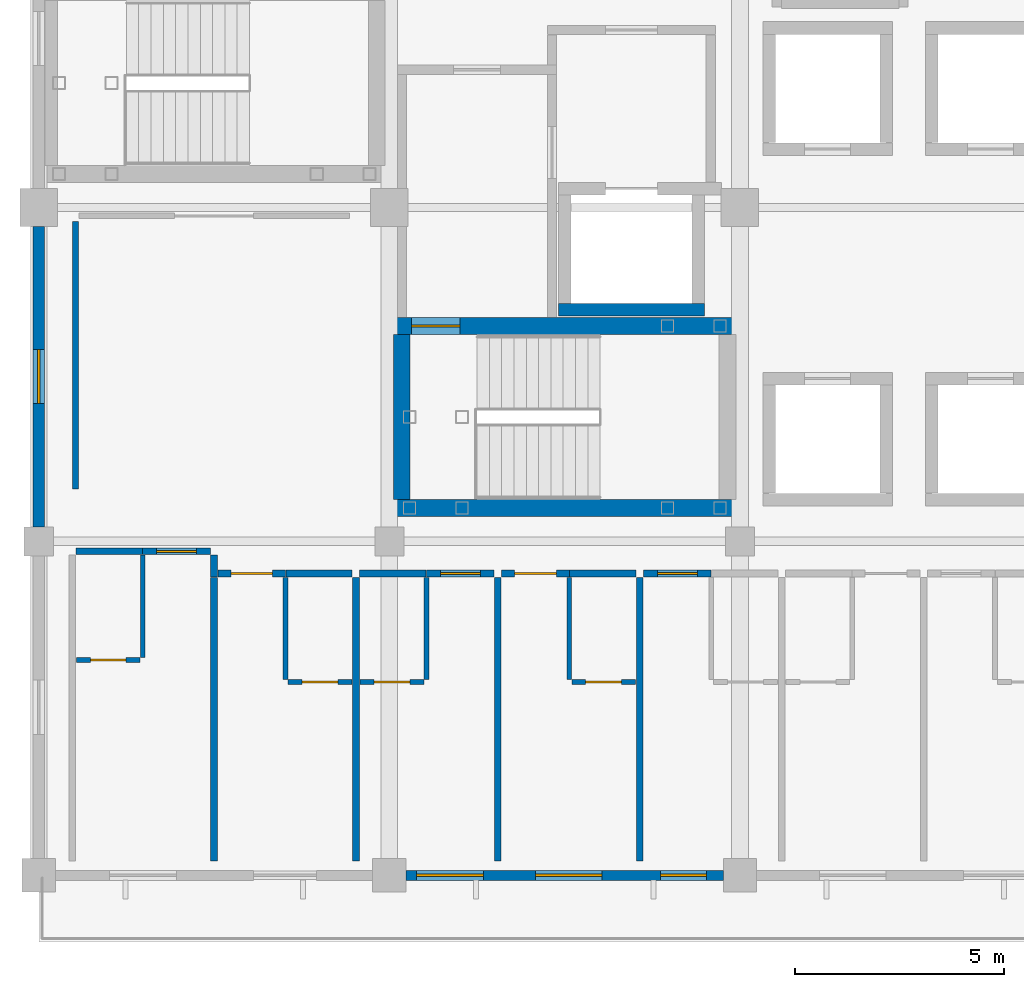
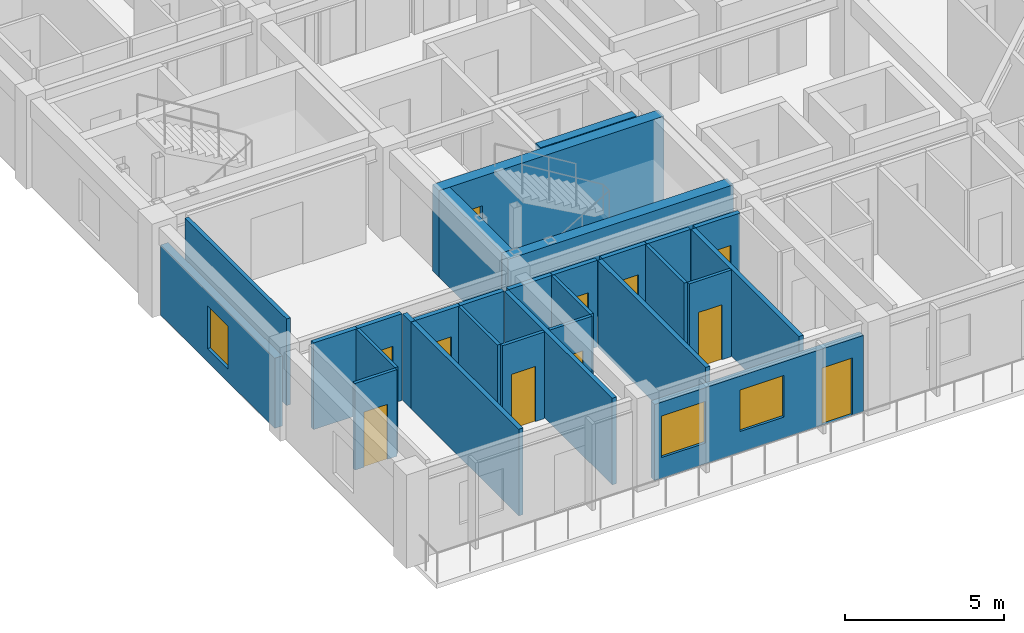
# One storey, part 5 of 17: 29 walls, 11 doors, 3 windows, 14 openings.
"""IFC4 building model written with IfcOpenShell, lengths in metres."""

from ifc_helpers import new_model, si_unit, direction, frame, frame_2d, origin, place, context, subcontext, project, spatial, rectangle, extrude, material, layer, layer_set, type_object, element, fill, save


model = new_model("IFC4")

# Units and contexts
model_context = context("Model", 3, precision=1e-05, world=origin(), true_north=direction((0.0, 1.0)))
body_context = subcontext(model_context, "Body", "Model", "MODEL_VIEW")
ifc_project = project(units=[si_unit("LENGTHUNIT", "METRE"), si_unit("AREAUNIT", "SQUARE_METRE"), si_unit("VOLUMEUNIT", "CUBIC_METRE"), si_unit("PLANEANGLEUNIT", "RADIAN"), si_unit("MASSUNIT", "GRAM", prefix="KILO")], contexts=[model_context])

# Site, building, storey
site_placement = place(None, origin())
site = spatial("IfcSite", under=ifc_project, at=site_placement, CompositionType="ELEMENT")
building_placement = place(site_placement, origin())
building = spatial("IfcBuilding", under=site, at=building_placement, Name="Naruveol Harbour Congress Hotel", CompositionType="ELEMENT")
storey_placement = place(building_placement, frame((0.0, 0.0, 25.199951171875)))
storey = spatial("IfcBuildingStorey", under=building, at=storey_placement, Name="L05", CompositionType="ELEMENT", Elevation=25.199951171875)

# Wall
ifc_material_1 = material(Name="Acoustic Double Stud Gypsum", Category="gypsum")
ifc_layer_1 = layer(ifc_material_1, 0.139892578125)
ifc_layer_set_1 = layer_set([ifc_layer_1], Name="Acoustic Double Stud Gypsum")
wall_type_1 = type_object("IfcWallType", Name="ACOUSTIC MEETING PARTITION WALL 140", PredefinedType="PARTITIONING", material=ifc_layer_set_1)
wall_1_placement = place(storey_placement, frame((118.47998046875, 9.25, 0.0), z_axis=(0.0, 0.0, 1.0), x_axis=(0.0, 1.0, 0.0)))
element("IfcWall", 1, at=wall_1_placement, inside=storey, type_object=wall_type_1, Name="Harbour Club Lounge west partition PW-140", PredefinedType="PARTITIONING", context=body_context, shape_type="SweptSolid", body=[
    extrude(rectangle(XDim=6.409912109375, YDim=0.139892578125, at=frame_2d((3.205078125, 0.0))), origin(), (0.0, 0.0, 1.0), 3.3349609375),
])

# Wall, opening, window
ifc_material_2 = material(Name="Precast concrete C40/50", Category="concrete")
ifc_layer_2 = layer(ifc_material_2, 0.280029296875)
ifc_layer_set_2 = layer_set([ifc_layer_2], Name="Precast concrete C40/50")
wall_type_2 = type_object("IfcWallType", Name="ARCHITECTURAL PRECAST FACADE WALL 280", PredefinedType="SOLIDWALL", material=ifc_layer_set_2)
wall_2_placement = place(storey_placement, frame((117.60009765625, 8.35009765625, 0.0), z_axis=(0.0, 0.0, 1.0), x_axis=(0.0, 1.0, 0.0)))
wall_2 = element("IfcWall", 2, at=wall_2_placement, inside=storey, type_object=wall_type_2, Name="Hotel west gable wall L05 EW-280", PredefinedType="SOLIDWALL", context=body_context, shape_type="SweptSolid", body=[
    extrude(rectangle(XDim=7.199951171875, YDim=0.280029296875, at=frame_2d((3.60009765625, 0.0))), origin(), (0.0, 0.0, 1.0), 2.699951171875),
])
opening_1_placement = place(wall_2_placement, frame((2.949951171875, 0.0, 0.5)))
opening_1 = element("IfcOpeningElement", 3, at=opening_1_placement, cuts=wall_2, Name="Opening W-27", PredefinedType="OPENING", context=body_context, shape_type="SweptSolid", body=[
    extrude(rectangle(XDim=1.300048828125, YDim=1.64990234375, at=frame_2d((0.64990234375, 0.824951171875))), frame((0.0, 0.14990234375, 0.0), z_axis=(0.0, -1.0, 0.0), x_axis=(1.0, 0.0, 0.0)), (0.0, 0.0, 1.0), 0.300048828125),
])
ifc_material_3 = material(Name="Low-E Triple Glazing in Thermal Aluminium", Category="aluminium")
window_type_1 = type_object("IfcWindowType", Name="READING SALON TALL WINDOW 1300X1650", PartitioningType="SINGLE_PANEL", PredefinedType="WINDOW", material=ifc_material_3)
window_1_placement = place(opening_1_placement, origin())
window_1 = element("IfcWindow", 4, at=window_1_placement, inside=storey, type_object=window_type_1, Name="Window W-27 #343", OverallHeight=1.64990234375, OverallWidth=1.300048828125, PartitioningType="SINGLE_PANEL", PredefinedType="WINDOW", context=body_context, shape_type="SweptSolid", body=[
    extrude(rectangle(XDim=1.300048828125, YDim=1.64990234375, at=frame_2d((0.64990234375, 0.824951171875))), frame((0.0, 0.030029296875, 0.0), z_axis=(0.0, -1.0, 0.0), x_axis=(1.0, 0.0, 0.0)), (0.0, 0.0, 1.0), 0.06005859375),
])
fill(opening_1, window_1)

# Wall
ifc_material_4 = material(Name="Moisture-Resistant Gypsum Partition", Category="gypsum")
ifc_layer_3 = layer(ifc_material_4, 0.114990234375)
ifc_layer_set_3 = layer_set([ifc_layer_3], Name="Moisture-Resistant Gypsum Partition")
wall_type_3 = type_object("IfcWallType", Name="BATHROOM MOISTURE PARTITION WALL 115", PredefinedType="PARTITIONING", material=ifc_layer_set_3)
wall_3_placement = place(storey_placement, frame((120.090087890625, 5.219970703125, 0.0), z_axis=(0.0, 0.0, 1.0), x_axis=(0.0, 1.0, 0.0)))
element("IfcWall", 5, at=wall_3_placement, inside=storey, type_object=wall_type_3, Name="Bathroom east wall 0615 PW-115", PredefinedType="PARTITIONING", context=body_context, shape_type="SweptSolid", body=[
    extrude(rectangle(XDim=2.449951171875, YDim=0.114990234375, at=frame_2d((1.22509765625, 0.0))), origin(), (0.0, 0.0, 1.0), 3.3349609375),
])

# Wall, opening, door
wall_4_placement = place(storey_placement, frame((118.5, 5.159912109375, 0.0), z_axis=(0.0, 0.0, 1.0), x_axis=(1.0, 0.0, 0.0)))
wall_4 = element("IfcWall", 6, at=wall_4_placement, inside=storey, type_object=wall_type_3, Name="Bathroom south wall 0615 PW-115", PredefinedType="PARTITIONING", context=body_context, shape_type="SweptSolid", body=[
    extrude(rectangle(XDim=1.530029296875, YDim=0.114990234375, at=frame_2d((0.76513671875, 0.0))), origin(), (0.0, 0.0, 1.0), 3.3349609375),
])
opening_2_placement = place(wall_4_placement, frame((0.3349609375, 0.0, 0.0)))
opening_2 = element("IfcOpeningElement", 7, at=opening_2_placement, cuts=wall_4, Name="Opening BD-RM0615", PredefinedType="OPENING", context=body_context, shape_type="SweptSolid", body=[
    extrude(rectangle(XDim=0.860107421875, YDim=2.1201171875, at=frame_2d((0.43017578125, 1.06005859375))), frame((0.0, 0.0673828125, 0.0), z_axis=(0.0, -1.0, 0.0), x_axis=(1.0, 0.0, 0.0)), (0.0, 0.0, 1.0), 0.135009765625),
])
ifc_material_5 = material(Name="Timber & Steel Acoustic Leaf", Category="steel")
door_type_1 = type_object("IfcDoorType", Name="GUEST BATHROOM DOOR 860X2120", OperationType="NOTDEFINED", PredefinedType="DOOR", material=ifc_material_5)
door_1_placement = place(opening_2_placement, origin())
door_1 = element("IfcDoor", 8, at=door_1_placement, inside=storey, type_object=door_type_1, Name="Bathroom Door 0615", OperationType="SINGLE_SWING_RIGHT", OverallHeight=2.1201171875, OverallWidth=0.860107421875, PredefinedType="DOOR", context=body_context, shape_type="SweptSolid", body=[
    extrude(rectangle(XDim=0.860107421875, YDim=2.1201171875, at=frame_2d((0.43017578125, 1.06005859375))), frame((0.0, 0.02490234375, 0.0), z_axis=(0.0, -1.0, 0.0), x_axis=(1.0, 0.0, 0.0)), (0.0, 0.0, 1.0), 0.050048828125),
])
fill(opening_2, door_1)

# Wall
wall_5_placement = place(storey_placement, frame((123.510009765625, 4.68994140625, 0.0), z_axis=(0.0, 0.0, 1.0), x_axis=(0.0, 1.0, 0.0)))
element("IfcWall", 9, at=wall_5_placement, inside=storey, type_object=wall_type_3, Name="Bathroom west wall 0616 PW-115", PredefinedType="PARTITIONING", context=body_context, shape_type="SweptSolid", body=[
    extrude(rectangle(XDim=2.449951171875, YDim=0.114990234375, at=frame_2d((1.22509765625, 0.0))), origin(), (0.0, 0.0, 1.0), 3.3349609375),
])

# Wall, opening, door
wall_6_placement = place(storey_placement, frame((123.570068359375, 4.6298828125, 0.0), z_axis=(0.0, 0.0, 1.0), x_axis=(1.0, 0.0, 0.0)))
wall_6 = element("IfcWall", 10, at=wall_6_placement, inside=storey, type_object=wall_type_3, Name="Bathroom south wall 0616 PW-115", PredefinedType="PARTITIONING", context=body_context, shape_type="SweptSolid", body=[
    extrude(rectangle(XDim=1.530029296875, YDim=0.114990234375, at=frame_2d((0.76513671875, 0.0))), origin(), (0.0, 0.0, 1.0), 3.3349609375),
])
opening_3_placement = place(wall_6_placement, frame((0.3349609375, 0.0, 0.0)))
opening_3 = element("IfcOpeningElement", 11, at=opening_3_placement, cuts=wall_6, Name="Opening BD-RM0616", PredefinedType="OPENING", context=body_context, shape_type="SweptSolid", body=[
    extrude(rectangle(XDim=0.860107421875, YDim=2.1201171875, at=frame_2d((0.43017578125, 1.06005859375))), frame((0.0, 0.0673828125, 0.0), z_axis=(0.0, -1.0, 0.0), x_axis=(1.0, 0.0, 0.0)), (0.0, 0.0, 1.0), 0.135009765625),
])
door_2_placement = place(opening_3_placement, origin())
door_2 = element("IfcDoor", 12, at=door_2_placement, inside=storey, type_object=door_type_1, Name="Bathroom Door 0616", OperationType="SINGLE_SWING_RIGHT", OverallHeight=2.1201171875, OverallWidth=0.860107421875, PredefinedType="DOOR", context=body_context, shape_type="SweptSolid", body=[
    extrude(rectangle(XDim=0.860107421875, YDim=2.1201171875, at=frame_2d((0.43017578125, 1.06005859375))), frame((0.0, 0.02490234375, 0.0), z_axis=(0.0, -1.0, 0.0), x_axis=(1.0, 0.0, 0.0)), (0.0, 0.0, 1.0), 0.050048828125),
])
fill(opening_3, door_2)

# Wall
wall_7_placement = place(storey_placement, frame((126.889892578125, 4.68994140625, 0.0), z_axis=(0.0, 0.0, 1.0), x_axis=(0.0, 1.0, 0.0)))
element("IfcWall", 13, at=wall_7_placement, inside=storey, type_object=wall_type_3, Name="Bathroom east wall 0617 PW-115", PredefinedType="PARTITIONING", context=body_context, shape_type="SweptSolid", body=[
    extrude(rectangle(XDim=2.449951171875, YDim=0.114990234375, at=frame_2d((1.22509765625, 0.0))), origin(), (0.0, 0.0, 1.0), 3.3349609375),
])

# Wall, opening, door
wall_8_placement = place(storey_placement, frame((125.300048828125, 4.6298828125, 0.0), z_axis=(0.0, 0.0, 1.0), x_axis=(1.0, 0.0, 0.0)))
wall_8 = element("IfcWall", 14, at=wall_8_placement, inside=storey, type_object=wall_type_3, Name="Bathroom south wall 0617 PW-115", PredefinedType="PARTITIONING", context=body_context, shape_type="SweptSolid", body=[
    extrude(rectangle(XDim=1.530029296875, YDim=0.114990234375, at=frame_2d((0.76513671875, 0.0))), origin(), (0.0, 0.0, 1.0), 3.3349609375),
])
opening_4_placement = place(wall_8_placement, frame((0.3349609375, 0.0, 0.0)))
opening_4 = element("IfcOpeningElement", 15, at=opening_4_placement, cuts=wall_8, Name="Opening BD-RM0617", PredefinedType="OPENING", context=body_context, shape_type="SweptSolid", body=[
    extrude(rectangle(XDim=0.860107421875, YDim=2.1201171875, at=frame_2d((0.43017578125, 1.06005859375))), frame((0.0, 0.0673828125, 0.0), z_axis=(0.0, -1.0, 0.0), x_axis=(1.0, 0.0, 0.0)), (0.0, 0.0, 1.0), 0.135009765625),
])
door_3_placement = place(opening_4_placement, origin())
door_3 = element("IfcDoor", 16, at=door_3_placement, inside=storey, type_object=door_type_1, Name="Bathroom Door 0617", OperationType="SINGLE_SWING_RIGHT", OverallHeight=2.1201171875, OverallWidth=0.860107421875, PredefinedType="DOOR", context=body_context, shape_type="SweptSolid", body=[
    extrude(rectangle(XDim=0.860107421875, YDim=2.1201171875, at=frame_2d((0.43017578125, 1.06005859375))), frame((0.0, 0.02490234375, 0.0), z_axis=(0.0, -1.0, 0.0), x_axis=(1.0, 0.0, 0.0)), (0.0, 0.0, 1.0), 0.050048828125),
])
fill(opening_4, door_3)

# Wall
wall_9_placement = place(storey_placement, frame((130.31005859375, 4.68994140625, 0.0), z_axis=(0.0, 0.0, 1.0), x_axis=(0.0, 1.0, 0.0)))
element("IfcWall", 17, at=wall_9_placement, inside=storey, type_object=wall_type_3, Name="Bathroom west wall 0618 PW-115", PredefinedType="PARTITIONING", context=body_context, shape_type="SweptSolid", body=[
    extrude(rectangle(XDim=2.449951171875, YDim=0.114990234375, at=frame_2d((1.22509765625, 0.0))), origin(), (0.0, 0.0, 1.0), 3.3349609375),
])

# Wall, opening, door
wall_10_placement = place(storey_placement, frame((130.3701171875, 4.6298828125, 0.0), z_axis=(0.0, 0.0, 1.0), x_axis=(1.0, 0.0, 0.0)))
wall_10 = element("IfcWall", 18, at=wall_10_placement, inside=storey, type_object=wall_type_3, Name="Bathroom south wall 0618 PW-115", PredefinedType="PARTITIONING", context=body_context, shape_type="SweptSolid", body=[
    extrude(rectangle(XDim=1.52978515625, YDim=0.114990234375, at=frame_2d((0.764892578125, 0.0))), origin(), (0.0, 0.0, 1.0), 3.3349609375),
])
opening_5_placement = place(wall_10_placement, frame((0.3349609375, 0.0, 0.0)))
opening_5 = element("IfcOpeningElement", 19, at=opening_5_placement, cuts=wall_10, Name="Opening BD-RM0618", PredefinedType="OPENING", context=body_context, shape_type="SweptSolid", body=[
    extrude(rectangle(XDim=0.860107421875, YDim=2.1201171875, at=frame_2d((0.43017578125, 1.06005859375))), frame((0.0, 0.0673828125, 0.0), z_axis=(0.0, -1.0, 0.0), x_axis=(1.0, 0.0, 0.0)), (0.0, 0.0, 1.0), 0.135009765625),
])
door_4_placement = place(opening_5_placement, origin())
door_4 = element("IfcDoor", 20, at=door_4_placement, inside=storey, type_object=door_type_1, Name="Bathroom Door 0618", OperationType="SINGLE_SWING_RIGHT", OverallHeight=2.1201171875, OverallWidth=0.860107421875, PredefinedType="DOOR", context=body_context, shape_type="SweptSolid", body=[
    extrude(rectangle(XDim=0.860107421875, YDim=2.1201171875, at=frame_2d((0.43017578125, 1.06005859375))), frame((0.0, 0.02490234375, 0.0), z_axis=(0.0, -1.0, 0.0), x_axis=(1.0, 0.0, 0.0)), (0.0, 0.0, 1.0), 0.050048828125),
])
fill(opening_5, door_4)

# Wall
ifc_material_6 = material(Name="Autoclaved Aerated Concrete Block", Category="concrete")
ifc_layer_4 = layer(ifc_material_6, 0.159912109375)
ifc_layer_set_4 = layer_set([ifc_layer_4], Name="Autoclaved Aerated Concrete Block")
wall_type_4 = type_object("IfcWallType", Name="HOTEL PARTY AND CORRIDOR WALL 160 EI60", PredefinedType="PARTITIONING", material=ifc_layer_set_4)
wall_11_placement = place(storey_placement, frame((118.489990234375, 7.760009765625, 0.0), z_axis=(0.0, 0.0, 1.0), x_axis=(1.0, 0.0, 0.0)))
element("IfcWall", 21, at=wall_11_placement, inside=storey, type_object=wall_type_4, Name="Corridor wall 0615B PW-160", PredefinedType="PARTITIONING", context=body_context, shape_type="SweptSolid", body=[
    extrude(rectangle(XDim=1.590087890625, YDim=0.159912109375, at=frame_2d((0.794921875, 0.0))), origin(), (0.0, 0.0, 1.0), 3.3349609375),
])

# Wall, opening, door
wall_12_placement = place(storey_placement, frame((120.090087890625, 7.760009765625, 0.0), z_axis=(0.0, 0.0, 1.0), x_axis=(1.0, 0.0, 0.0)))
wall_12 = element("IfcWall", 22, at=wall_12_placement, inside=storey, type_object=wall_type_4, Name="Corridor entry wall 0615 PW-160", PredefinedType="PARTITIONING", context=body_context, shape_type="SweptSolid", body=[
    extrude(rectangle(XDim=1.619873046875, YDim=0.159912109375, at=frame_2d((0.81005859375, 0.0))), origin(), (0.0, 0.0, 1.0), 3.3349609375),
])
opening_6_placement = place(wall_12_placement, frame((0.330078125, 0.0, 0.0)))
opening_6 = element("IfcOpeningElement", 23, at=opening_6_placement, cuts=wall_12, Name="Opening FD-RM0615", PredefinedType="OPENING", context=body_context, shape_type="SweptSolid", body=[
    extrude(rectangle(XDim=0.9599609375, YDim=2.199951171875, at=frame_2d((0.47998046875, 1.10009765625))), frame((0.0, 0.08984375, 0.0), z_axis=(0.0, -1.0, 0.0), x_axis=(1.0, 0.0, 0.0)), (0.0, 0.0, 1.0), 0.179931640625),
])
ifc_material_7 = material(Name="Timber & Steel Acoustic Leaf", Category="steel")
door_type_2 = type_object("IfcDoorType", Name="GUEST ROOM ENTRANCE FIRE DOOR 960X2200", OperationType="NOTDEFINED", PredefinedType="DOOR", material=ifc_material_7)
door_5_placement = place(opening_6_placement, origin())
door_5 = element("IfcDoor", 24, at=door_5_placement, inside=storey, type_object=door_type_2, Name="Hotel Room Door 0615", OperationType="SINGLE_SWING_LEFT", OverallHeight=2.199951171875, OverallWidth=0.9599609375, PredefinedType="DOOR", context=body_context, shape_type="SweptSolid", body=[
    extrude(rectangle(XDim=0.9599609375, YDim=2.199951171875, at=frame_2d((0.47998046875, 1.10009765625))), frame((0.0, 0.02490234375, 0.0), z_axis=(0.0, -1.0, 0.0), x_axis=(1.0, 0.0, 0.0)), (0.0, 0.0, 1.0), 0.050048828125),
])
fill(opening_6, door_5)

# Wall
wall_13_placement = place(storey_placement, frame((121.800048828125, 7.14990234375, 0.0), z_axis=(0.0, 0.0, 1.0), x_axis=(0.0, 1.0, 0.0)))
element("IfcWall", 25, at=wall_13_placement, inside=storey, type_object=wall_type_4, Name="Hotel end party wall 0615 PW-160", PredefinedType="PARTITIONING", context=body_context, shape_type="SweptSolid", body=[
    extrude(rectangle(XDim=0.52001953125, YDim=0.159912109375, at=frame_2d((0.260009765625, 0.0))), origin(), (0.0, 0.0, 1.0), 3.3349609375),
])

# Wall, opening, door
wall_14_placement = place(storey_placement, frame((121.889892578125, 7.22998046875, 0.0), z_axis=(0.0, 0.0, 1.0), x_axis=(1.0, 0.0, 0.0)))
wall_14 = element("IfcWall", 26, at=wall_14_placement, inside=storey, type_object=wall_type_4, Name="Corridor entry wall 0616 PW-160", PredefinedType="PARTITIONING", context=body_context, shape_type="SweptSolid", body=[
    extrude(rectangle(XDim=1.6201171875, YDim=0.159912109375, at=frame_2d((0.81005859375, 0.0))), origin(), (0.0, 0.0, 1.0), 3.3349609375),
])
opening_7_placement = place(wall_14_placement, frame((0.31005859375, 0.0, 0.0)))
opening_7 = element("IfcOpeningElement", 27, at=opening_7_placement, cuts=wall_14, Name="Opening FD-RM0616", PredefinedType="OPENING", context=body_context, shape_type="SweptSolid", body=[
    extrude(rectangle(XDim=1.0, YDim=2.25, at=frame_2d((0.5, 1.125))), frame((0.0, 0.08984375, 0.0), z_axis=(0.0, -1.0, 0.0), x_axis=(1.0, 0.0, 0.0)), (0.0, 0.0, 1.0), 0.179931640625),
])
ifc_material_8 = material(Name="Timber & Steel Acoustic Leaf", Category="steel")
door_type_3 = type_object("IfcDoorType", Name="DELUXE GUEST ENTRANCE FIRE DOOR 1000X2250", OperationType="NOTDEFINED", PredefinedType="DOOR", material=ifc_material_8)
door_6_placement = place(opening_7_placement, origin())
door_6 = element("IfcDoor", 28, at=door_6_placement, inside=storey, type_object=door_type_3, Name="Hotel Room Door 0616", OperationType="SINGLE_SWING_LEFT", OverallHeight=2.25, OverallWidth=1.0, PredefinedType="DOOR", context=body_context, shape_type="SweptSolid", body=[
    extrude(rectangle(XDim=1.0, YDim=2.25, at=frame_2d((0.5, 1.125))), frame((0.0, 0.02490234375, 0.0), z_axis=(0.0, -1.0, 0.0), x_axis=(1.0, 0.0, 0.0)), (0.0, 0.0, 1.0), 0.050048828125),
])
fill(opening_7, door_6)

# Walls
wall_15_placement = place(storey_placement, frame((123.52001953125, 7.22998046875, 0.0), z_axis=(0.0, 0.0, 1.0), x_axis=(1.0, 0.0, 0.0)))
element("IfcWall", 29, at=wall_15_placement, inside=storey, type_object=wall_type_4, Name="Corridor wall 0616B PW-160", PredefinedType="PARTITIONING", context=body_context, shape_type="SweptSolid", body=[
    extrude(rectangle(XDim=1.590087890625, YDim=0.159912109375, at=frame_2d((0.794921875, 0.0))), origin(), (0.0, 0.0, 1.0), 3.3349609375),
])
wall_16_placement = place(storey_placement, frame((121.800048828125, 0.340087890625, 0.0), z_axis=(0.0, 0.0, 1.0), x_axis=(0.0, 1.0, 0.0)))
element("IfcWall", 30, at=wall_16_placement, inside=storey, type_object=wall_type_4, Name="Hotel party wall 0616 PW-160", PredefinedType="PARTITIONING", context=body_context, shape_type="SweptSolid", body=[
    extrude(rectangle(XDim=6.7998046875, YDim=0.159912109375, at=frame_2d((3.39990234375, 0.0))), origin(), (0.0, 0.0, 1.0), 3.3349609375),
])
wall_17_placement = place(storey_placement, frame((125.2900390625, 7.22998046875, 0.0), z_axis=(0.0, 0.0, 1.0), x_axis=(1.0, 0.0, 0.0)))
element("IfcWall", 31, at=wall_17_placement, inside=storey, type_object=wall_type_4, Name="Corridor wall 0617B PW-160", PredefinedType="PARTITIONING", context=body_context, shape_type="SweptSolid", body=[
    extrude(rectangle(XDim=1.58984375, YDim=0.159912109375, at=frame_2d((0.794921875, 0.0))), origin(), (0.0, 0.0, 1.0), 3.3349609375),
])

# Wall, opening, door
wall_18_placement = place(storey_placement, frame((126.889892578125, 7.22998046875, 0.0), z_axis=(0.0, 0.0, 1.0), x_axis=(1.0, 0.0, 0.0)))
wall_18 = element("IfcWall", 32, at=wall_18_placement, inside=storey, type_object=wall_type_4, Name="Corridor entry wall 0617 PW-160", PredefinedType="PARTITIONING", context=body_context, shape_type="SweptSolid", body=[
    extrude(rectangle(XDim=1.6201171875, YDim=0.159912109375, at=frame_2d((0.81005859375, 0.0))), origin(), (0.0, 0.0, 1.0), 3.3349609375),
])
opening_8_placement = place(wall_18_placement, frame((0.330078125, 0.0, 0.0)))
opening_8 = element("IfcOpeningElement", 33, at=opening_8_placement, cuts=wall_18, Name="Opening FD-RM0617", PredefinedType="OPENING", context=body_context, shape_type="SweptSolid", body=[
    extrude(rectangle(XDim=0.9599609375, YDim=2.199951171875, at=frame_2d((0.47998046875, 1.10009765625))), frame((0.0, 0.08984375, 0.0), z_axis=(0.0, -1.0, 0.0), x_axis=(1.0, 0.0, 0.0)), (0.0, 0.0, 1.0), 0.179931640625),
])
door_7_placement = place(opening_8_placement, origin())
door_7 = element("IfcDoor", 34, at=door_7_placement, inside=storey, type_object=door_type_2, Name="Hotel Room Door 0617", OperationType="SINGLE_SWING_LEFT", OverallHeight=2.199951171875, OverallWidth=0.9599609375, PredefinedType="DOOR", context=body_context, shape_type="SweptSolid", body=[
    extrude(rectangle(XDim=0.9599609375, YDim=2.199951171875, at=frame_2d((0.47998046875, 1.10009765625))), frame((0.0, 0.02490234375, 0.0), z_axis=(0.0, -1.0, 0.0), x_axis=(1.0, 0.0, 0.0)), (0.0, 0.0, 1.0), 0.050048828125),
])
fill(opening_8, door_7)

# Wall
wall_19_placement = place(storey_placement, frame((125.199951171875, 0.340087890625, 0.0), z_axis=(0.0, 0.0, 1.0), x_axis=(0.0, 1.0, 0.0)))
element("IfcWall", 35, at=wall_19_placement, inside=storey, type_object=wall_type_4, Name="Hotel party wall 0617 PW-160", PredefinedType="PARTITIONING", context=body_context, shape_type="SweptSolid", body=[
    extrude(rectangle(XDim=6.7998046875, YDim=0.159912109375, at=frame_2d((3.39990234375, 0.0))), origin(), (0.0, 0.0, 1.0), 3.3349609375),
])

# Wall, opening, door
wall_20_placement = place(storey_placement, frame((128.68994140625, 7.22998046875, 0.0), z_axis=(0.0, 0.0, 1.0), x_axis=(1.0, 0.0, 0.0)))
wall_20 = element("IfcWall", 36, at=wall_20_placement, inside=storey, type_object=wall_type_4, Name="Corridor entry wall 0618 PW-160", PredefinedType="PARTITIONING", context=body_context, shape_type="SweptSolid", body=[
    extrude(rectangle(XDim=1.6201171875, YDim=0.159912109375, at=frame_2d((0.81005859375, 0.0))), origin(), (0.0, 0.0, 1.0), 3.3349609375),
])
opening_9_placement = place(wall_20_placement, frame((0.31005859375, 0.0, 0.0)))
opening_9 = element("IfcOpeningElement", 37, at=opening_9_placement, cuts=wall_20, Name="Opening FD-RM0618", PredefinedType="OPENING", context=body_context, shape_type="SweptSolid", body=[
    extrude(rectangle(XDim=1.0, YDim=2.25, at=frame_2d((0.5, 1.125))), frame((0.0, 0.08984375, 0.0), z_axis=(0.0, -1.0, 0.0), x_axis=(1.0, 0.0, 0.0)), (0.0, 0.0, 1.0), 0.179931640625),
])
door_8_placement = place(opening_9_placement, origin())
door_8 = element("IfcDoor", 38, at=door_8_placement, inside=storey, type_object=door_type_3, Name="Hotel Room Door 0618", OperationType="SINGLE_SWING_LEFT", OverallHeight=2.25, OverallWidth=1.0, PredefinedType="DOOR", context=body_context, shape_type="SweptSolid", body=[
    extrude(rectangle(XDim=1.0, YDim=2.25, at=frame_2d((0.5, 1.125))), frame((0.0, 0.02490234375, 0.0), z_axis=(0.0, -1.0, 0.0), x_axis=(1.0, 0.0, 0.0)), (0.0, 0.0, 1.0), 0.050048828125),
])
fill(opening_9, door_8)

# Walls
wall_21_placement = place(storey_placement, frame((130.320068359375, 7.22998046875, 0.0), z_axis=(0.0, 0.0, 1.0), x_axis=(1.0, 0.0, 0.0)))
element("IfcWall", 39, at=wall_21_placement, inside=storey, type_object=wall_type_4, Name="Corridor wall 0618B PW-160", PredefinedType="PARTITIONING", context=body_context, shape_type="SweptSolid", body=[
    extrude(rectangle(XDim=1.58984375, YDim=0.159912109375, at=frame_2d((0.794921875, 0.0))), origin(), (0.0, 0.0, 1.0), 3.3349609375),
])
wall_22_placement = place(storey_placement, frame((128.60009765625, 0.340087890625, 0.0), z_axis=(0.0, 0.0, 1.0), x_axis=(0.0, 1.0, 0.0)))
element("IfcWall", 40, at=wall_22_placement, inside=storey, type_object=wall_type_4, Name="Hotel party wall 0618 PW-160", PredefinedType="PARTITIONING", context=body_context, shape_type="SweptSolid", body=[
    extrude(rectangle(XDim=6.7998046875, YDim=0.159912109375, at=frame_2d((3.39990234375, 0.0))), origin(), (0.0, 0.0, 1.0), 3.3349609375),
])

# Wall, opening, door
wall_23_placement = place(storey_placement, frame((132.090087890625, 7.22998046875, 0.0), z_axis=(0.0, 0.0, 1.0), x_axis=(1.0, 0.0, 0.0)))
wall_23 = element("IfcWall", 41, at=wall_23_placement, inside=storey, type_object=wall_type_4, Name="Corridor entry wall 0619 PW-160", PredefinedType="PARTITIONING", context=body_context, shape_type="SweptSolid", body=[
    extrude(rectangle(XDim=1.619873046875, YDim=0.159912109375, at=frame_2d((0.81005859375, 0.0))), origin(), (0.0, 0.0, 1.0), 3.3349609375),
])
opening_10_placement = place(wall_23_placement, frame((0.330078125, 0.0, 0.0)))
opening_10 = element("IfcOpeningElement", 42, at=opening_10_placement, cuts=wall_23, Name="Opening FD-RM0619", PredefinedType="OPENING", context=body_context, shape_type="SweptSolid", body=[
    extrude(rectangle(XDim=0.9599609375, YDim=2.199951171875, at=frame_2d((0.47998046875, 1.10009765625))), frame((0.0, 0.08984375, 0.0), z_axis=(0.0, -1.0, 0.0), x_axis=(1.0, 0.0, 0.0)), (0.0, 0.0, 1.0), 0.179931640625),
])
door_9_placement = place(opening_10_placement, origin())
door_9 = element("IfcDoor", 43, at=door_9_placement, inside=storey, type_object=door_type_2, Name="Hotel Room Door 0619", OperationType="SINGLE_SWING_LEFT", OverallHeight=2.199951171875, OverallWidth=0.9599609375, PredefinedType="DOOR", context=body_context, shape_type="SweptSolid", body=[
    extrude(rectangle(XDim=0.9599609375, YDim=2.199951171875, at=frame_2d((0.47998046875, 1.10009765625))), frame((0.0, 0.02490234375, 0.0), z_axis=(0.0, -1.0, 0.0), x_axis=(1.0, 0.0, 0.0)), (0.0, 0.0, 1.0), 0.050048828125),
])
fill(opening_10, door_9)

# Wall
wall_24_placement = place(storey_placement, frame((132.0, 0.340087890625, 0.0), z_axis=(0.0, 0.0, 1.0), x_axis=(0.0, 1.0, 0.0)))
element("IfcWall", 44, at=wall_24_placement, inside=storey, type_object=wall_type_4, Name="Hotel party wall 0619 PW-160", PredefinedType="PARTITIONING", context=body_context, shape_type="SweptSolid", body=[
    extrude(rectangle(XDim=6.7998046875, YDim=0.159912109375, at=frame_2d((3.39990234375, 0.0))), origin(), (0.0, 0.0, 1.0), 3.3349609375),
])

# Wall, openings, windows, door
ifc_material_9 = material(Name="Concrete C40/50", Category="concrete")
ifc_layer_5 = layer(ifc_material_9, 0.239990234375)
ifc_layer_set_5 = layer_set([ifc_layer_5], Name="Concrete C40/50")
wall_type_5 = type_object("IfcWallType", Name="INSULATED HOTEL SPANDREL WALL 240", PredefinedType="SOLIDWALL", material=ifc_layer_set_5)
wall_25_placement = place(storey_placement, frame((134.0, 0.0, 0.0), z_axis=(0.0, 0.0, 1.0), x_axis=(-1.0, 0.0, 0.0)))
wall_25 = element("IfcWall", 45, at=wall_25_placement, inside=storey, type_object=wall_type_5, Name="Hotel south waterfront wall L05 EW-240", PredefinedType="SOLIDWALL", context=body_context, shape_type="SweptSolid", body=[
    extrude(rectangle(XDim=7.60009765625, YDim=0.239990234375, at=frame_2d((3.800048828125, 0.0))), origin(), (0.0, 0.0, 1.0), 2.929931640625),
])
opening_11_placement = place(wall_25_placement, frame((0.39990234375, 0.0, 0.0)))
opening_11 = element("IfcOpeningElement", 46, at=opening_11_placement, cuts=wall_25, Name="Opening BD-110-039", PredefinedType="OPENING", context=body_context, shape_type="SweptSolid", body=[
    extrude(rectangle(XDim=1.10009765625, YDim=2.199951171875, at=frame_2d((0.550048828125, 1.10009765625))), frame((0.0, 0.1298828125, 0.0), z_axis=(0.0, -1.0, 0.0), x_axis=(1.0, 0.0, 0.0)), (0.0, 0.0, 1.0), 0.260009765625),
])
opening_12_placement = place(wall_25_placement, frame((2.89990234375, 0.0, 0.800048828125)))
opening_12 = element("IfcOpeningElement", 47, at=opening_12_placement, cuts=wall_25, Name="Opening W-03", PredefinedType="OPENING", context=body_context, shape_type="SweptSolid", body=[
    extrude(rectangle(XDim=1.60009765625, YDim=1.60009765625, at=frame_2d((0.800048828125, 0.800048828125))), frame((0.0, 0.1298828125, 0.0), z_axis=(0.0, -1.0, 0.0), x_axis=(1.0, 0.0, 0.0)), (0.0, 0.0, 1.0), 0.260009765625),
])
opening_13_placement = place(wall_25_placement, frame((5.75, 0.0, 0.800048828125)))
opening_13 = element("IfcOpeningElement", 48, at=opening_13_placement, cuts=wall_25, Name="Opening W-03", PredefinedType="OPENING", context=body_context, shape_type="SweptSolid", body=[
    extrude(rectangle(XDim=1.60009765625, YDim=1.60009765625, at=frame_2d((0.800048828125, 0.800048828125))), frame((0.0, 0.1298828125, 0.0), z_axis=(0.0, -1.0, 0.0), x_axis=(1.0, 0.0, 0.0)), (0.0, 0.0, 1.0), 0.260009765625),
])
ifc_material_10 = material(Name="Low-E Triple Glazing in Thermal Aluminium", Category="aluminium")
window_type_2 = type_object("IfcWindowType", Name="DELUXE GUEST WINDOW 1600X1600", PartitioningType="SINGLE_PANEL", PredefinedType="WINDOW", material=ifc_material_10)
window_2_placement = place(opening_12_placement, origin())
window_2 = element("IfcWindow", 49, at=window_2_placement, inside=storey, type_object=window_type_2, Name="Window W-03 #311", OverallHeight=1.60009765625, OverallWidth=1.60009765625, PartitioningType="SINGLE_PANEL", PredefinedType="WINDOW", context=body_context, shape_type="SweptSolid", body=[
    extrude(rectangle(XDim=1.60009765625, YDim=1.60009765625, at=frame_2d((0.800048828125, 0.800048828125))), frame((0.0, 0.030029296875, 0.0), z_axis=(0.0, -1.0, 0.0), x_axis=(1.0, 0.0, 0.0)), (0.0, 0.0, 1.0), 0.06005859375),
])
fill(opening_12, window_2)
window_3_placement = place(opening_13_placement, origin())
window_3 = element("IfcWindow", 50, at=window_3_placement, inside=storey, type_object=window_type_2, Name="Window W-03 #312", OverallHeight=1.60009765625, OverallWidth=1.60009765625, PartitioningType="SINGLE_PANEL", PredefinedType="WINDOW", context=body_context, shape_type="SweptSolid", body=[
    extrude(rectangle(XDim=1.60009765625, YDim=1.60009765625, at=frame_2d((0.800048828125, 0.800048828125))), frame((0.0, 0.030029296875, 0.0), z_axis=(0.0, -1.0, 0.0), x_axis=(1.0, 0.0, 0.0)), (0.0, 0.0, 1.0), 0.06005859375),
])
fill(opening_13, window_3)
ifc_material_11 = material(Name="Powder-Coated Steel & Insulated Glazing", Category="steel")
door_type_4 = type_object("IfcDoorType", Name="HOTEL BALCONY GLAZED DOOR 1100X2200", OperationType="NOTDEFINED", PredefinedType="DOOR", material=ifc_material_11)
door_10_placement = place(opening_11_placement, origin())
door_10 = element("IfcDoor", 51, at=door_10_placement, inside=storey, type_object=door_type_4, Name="Exterior door BD-110-039", OperationType="SINGLE_SWING_RIGHT", OverallHeight=2.199951171875, OverallWidth=1.10009765625, PredefinedType="DOOR", context=body_context, shape_type="SweptSolid", body=[
    extrude(rectangle(XDim=1.10009765625, YDim=2.199951171875, at=frame_2d((0.550048828125, 1.10009765625))), frame((0.0, 0.02490234375, 0.0), z_axis=(0.0, -1.0, 0.0), x_axis=(1.0, 0.0, 0.0)), (0.0, 0.0, 1.0), 0.050048828125),
])
fill(opening_11, door_10)

# Wall
ifc_material_12 = material(Name="Concrete C50/60", Category="concrete")
ifc_layer_6 = layer(ifc_material_12, 0.39990234375)
ifc_layer_set_6 = layer_set([ifc_layer_6], Name="Concrete C50/60")
wall_type_6 = type_object("IfcWallType", Name="RC CORE SHEAR WALL 400 EI120", PredefinedType="SHEAR", material=ifc_layer_set_6)
wall_26_placement = place(storey_placement, frame((126.10009765625, 8.800048828125, 0.0), z_axis=(0.0, 0.0, 1.0), x_axis=(1.0, 0.0, 0.0)))
element("IfcWall", 52, at=wall_26_placement, inside=storey, type_object=wall_type_6, Name="Stair ST1 south core wall CW-400", PredefinedType="SHEAR", context=body_context, shape_type="SweptSolid", body=[
    extrude(rectangle(XDim=8.199951171875, YDim=0.39990234375, at=frame_2d((4.10009765625, 0.0))), origin(), (0.0, 0.0, 1.0), 3.3349609375),
])

# Wall, opening, door
wall_27_placement = place(storey_placement, frame((126.10009765625, 13.159912109375, 0.0), z_axis=(0.0, 0.0, 1.0), x_axis=(1.0, 0.0, 0.0)))
wall_27 = element("IfcWall", 53, at=wall_27_placement, inside=storey, type_object=wall_type_6, Name="Stair ST1 north core wall CW-400", PredefinedType="SHEAR", context=body_context, shape_type="SweptSolid", body=[
    extrude(rectangle(XDim=8.199951171875, YDim=0.39990234375, at=frame_2d((4.10009765625, 0.0))), origin(), (0.0, 0.0, 1.0), 3.3349609375),
])
opening_14_placement = place(wall_27_placement, frame((0.429931640625, 0.0, 0.0)))
opening_14 = element("IfcOpeningElement", 54, at=opening_14_placement, cuts=wall_27, Name="Opening FD-ST1-S-L05", PredefinedType="OPENING", context=body_context, shape_type="SweptSolid", body=[
    extrude(rectangle(XDim=1.159912109375, YDim=2.199951171875, at=frame_2d((0.580078125, 1.10009765625))), frame((0.0, 0.2099609375, 0.0), z_axis=(0.0, -1.0, 0.0), x_axis=(1.0, 0.0, 0.0)), (0.0, 0.0, 1.0), 0.419921875),
])
ifc_material_13 = material(Name="Timber & Steel Acoustic Leaf", Category="steel")
door_type_5 = type_object("IfcDoorType", Name="SPECIAL ESCAPE STAIR FIRE DOOR 1160X2200", OperationType="NOTDEFINED", PredefinedType="DOOR", material=ifc_material_13)
door_11_placement = place(opening_14_placement, origin())
door_11 = element("IfcDoor", 55, at=door_11_placement, inside=storey, type_object=door_type_5, Name="Special Escape Stair Door ST1 L05", OperationType="SINGLE_SWING_RIGHT", OverallHeight=2.199951171875, OverallWidth=1.159912109375, PredefinedType="DOOR", context=body_context, shape_type="SweptSolid", body=[
    extrude(rectangle(XDim=1.159912109375, YDim=2.199951171875, at=frame_2d((0.580078125, 1.10009765625))), frame((0.0, 0.02490234375, 0.0), z_axis=(0.0, -1.0, 0.0), x_axis=(1.0, 0.0, 0.0)), (0.0, 0.0, 1.0), 0.050048828125),
])
fill(opening_14, door_11)

# Walls
wall_28_placement = place(storey_placement, frame((126.300048828125, 9.0048828125, 0.0), z_axis=(0.0, 0.0, 1.0), x_axis=(0.0, 1.0, 0.0)))
element("IfcWall", 56, at=wall_28_placement, inside=storey, type_object=wall_type_6, Name="Stair ST1 west core wall CW-400", PredefinedType="SHEAR", context=body_context, shape_type="SweptSolid", body=[
    extrude(rectangle(XDim=3.9501953125, YDim=0.39990234375, at=frame_2d((1.97509765625, 0.0))), origin(), (0.0, 0.0, 1.0), 3.3349609375),
])
ifc_material_14 = material(Name="Concrete C50/60", Category="concrete")
ifc_layer_7 = layer(ifc_material_14, 0.300048828125)
ifc_layer_set_7 = layer_set([ifc_layer_7], Name="Concrete C50/60")
wall_type_7 = type_object("IfcWallType", Name="RC STAIR AND HOISTWAY SHEAR WALL 300 EI120", PredefinedType="SHEAR", material=ifc_layer_set_7)
wall_29_placement = place(storey_placement, frame((130.050048828125, 13.550048828125, 0.0), z_axis=(0.0, 0.0, 1.0), x_axis=(1.0, 0.0, 0.0)))
element("IfcWall", 57, at=wall_29_placement, inside=storey, type_object=wall_type_7, Name="Hoistway south shear wall FL1 SW-300", PredefinedType="SHEAR", context=body_context, shape_type="SweptSolid", body=[
    extrude(rectangle(XDim=3.5, YDim=0.300048828125, at=frame_2d((1.75, 0.0))), origin(), (0.0, 0.0, 1.0), 3.3349609375),
])

save(model, "model.ifc")
